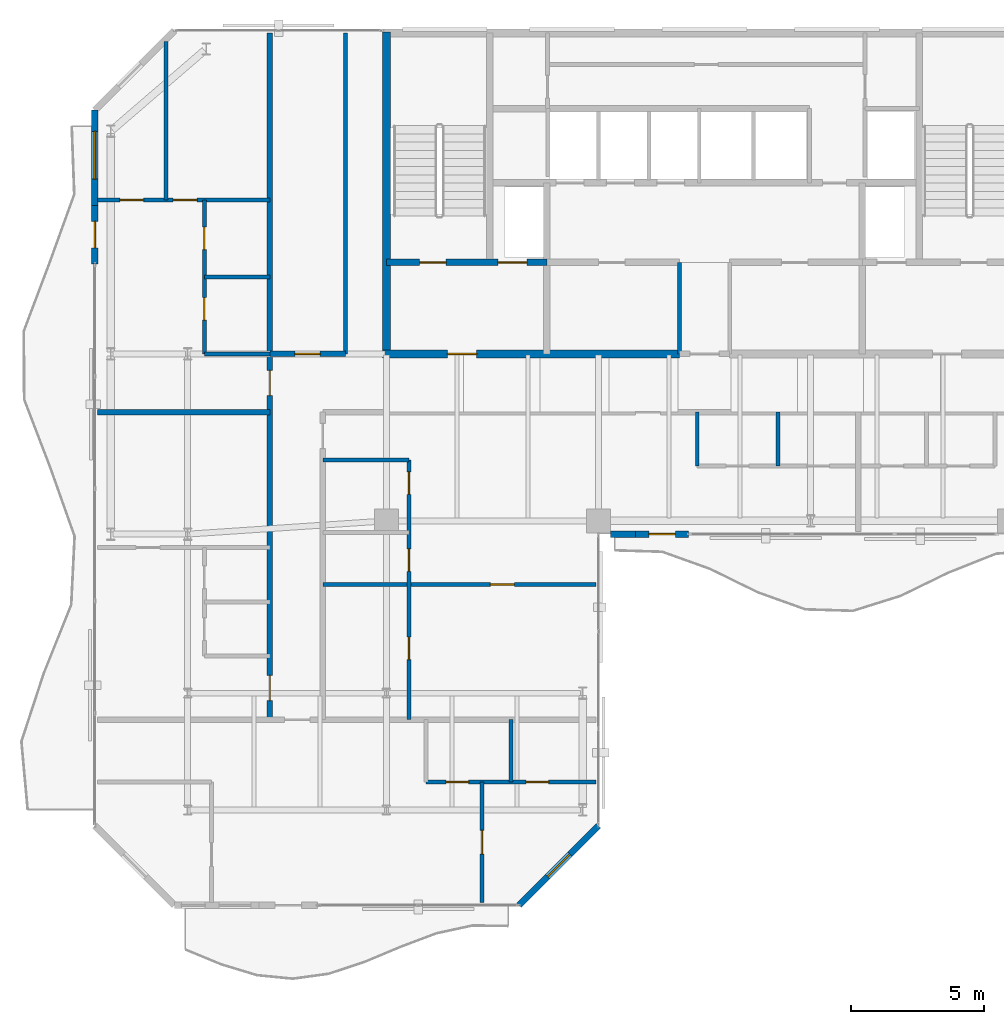
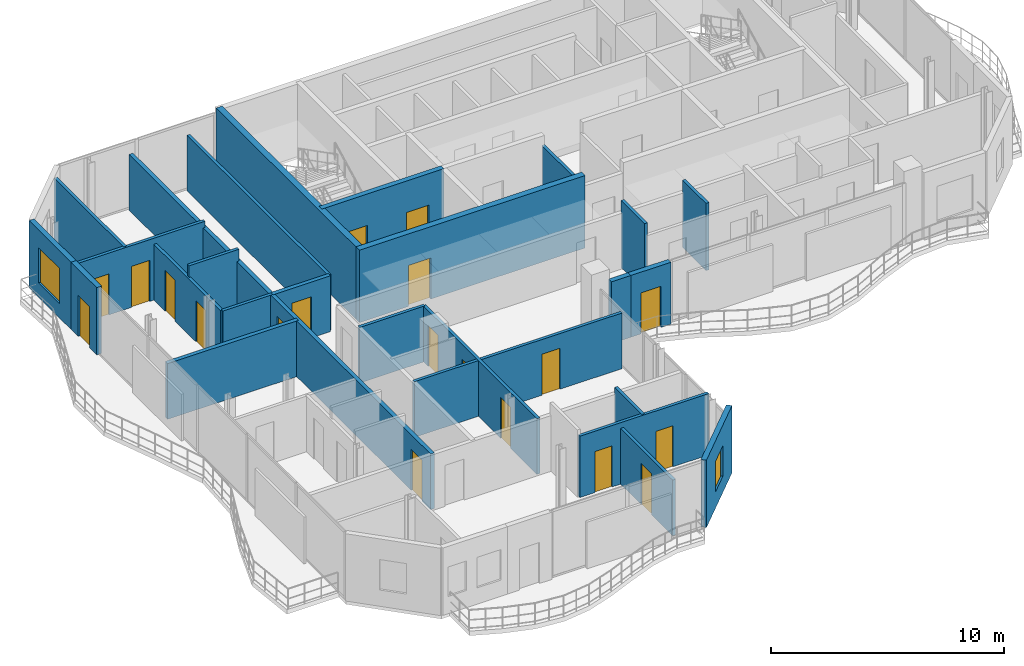
# One storey, part 18 of 22: 26 walls, 19 doors, 2 windows, 21 openings.
"""IFC4 building model written with IfcOpenShell, lengths in metres."""

import ifcopenshell
import ifcopenshell.guid

model = None  # the IFC model being written
_history = None  # IfcOwnerHistory: only IFC2X3 demands one
_inside = {}  # id of a spatial element -> (the spatial element, [elements in it])
_under = {}  # id of a project, library or spatial element -> (it, [spatial elements below it])
_declared = {}  # id of a project -> (the project, [libraries it declares])
_typed = {}  # id of a type object -> (the type object, [elements of that type])
_made_of = {}  # id of a material, layer set ... -> (it, [elements and type objects made of it])


def new_model(schema):
    """Start an empty IFC model of exactly this schema.

    Asked for "IFC4X3", IfcOpenShell would pick the latest addendum, in which some entities
    have other attributes; the version numbers below select the first issue.
    IFC2X3 requires an IfcOwnerHistory on every rooted entity: one is made here for all.
    """
    global model, _history
    if schema == "IFC4X3":
        model = ifcopenshell.file(schema_version=(4, 3, 0, 0))
    else:
        model = ifcopenshell.file(schema=schema)
    _inside.clear()
    _under.clear()
    _declared.clear()
    _typed.clear()
    _made_of.clear()
    _history = None
    if model.schema == "IFC2X3":
        org = make("IfcOrganization", Name="unknown")
        user = make(
            "IfcPersonAndOrganization",
            ThePerson=make("IfcPerson", FamilyName="unknown"),
            TheOrganization=org,
        )
        app = make(
            "IfcApplication",
            ApplicationDeveloper=org,
            Version="unknown",
            ApplicationFullName="unknown",
            ApplicationIdentifier="unknown",
        )
        _history = make(
            "IfcOwnerHistory",
            OwningUser=user,
            OwningApplication=app,
            ChangeAction="ADDED",
            CreationDate=0,
        )
    return model


def make(cls, **values):
    """One entity of the class cls with the attributes given. An attribute that is None is left unset."""
    return model.create_entity(
        cls, **{name: value for name, value in values.items() if value is not None}
    )


def rooted(cls, **values):
    """An entity with a GlobalId (a new one), such as an element, a storey or a relation."""
    return make(cls, GlobalId=ifcopenshell.guid.new(), OwnerHistory=_history, **values)


def si_unit(unit_type, name, prefix=None):
    """IfcSIUnit, for example si_unit("LENGTHUNIT", "METRE", prefix="MILLI")."""
    return make("IfcSIUnit", UnitType=unit_type, Prefix=prefix, Name=name)


def assignment(units):
    """IfcUnitAssignment: the units of a project."""
    return None if units is None else make("IfcUnitAssignment", Units=units)


def point(xyz):
    """IfcCartesianPoint."""
    return None if xyz is None else make("IfcCartesianPoint", Coordinates=xyz)


def direction(xyz):
    """IfcDirection."""
    return None if xyz is None else make("IfcDirection", DirectionRatios=xyz)


def frame(location, z_axis=None, x_axis=None):
    """IfcAxis2Placement3D, a coordinate frame: its origin and axes. An axis left out is left unset."""
    return make(
        "IfcAxis2Placement3D",
        Location=point(location),
        Axis=direction(z_axis),
        RefDirection=direction(x_axis),
    )


def frame_2d(location, x_axis=None):
    """IfcAxis2Placement2D, a coordinate frame in the plane: its origin and x axis."""
    return make(
        "IfcAxis2Placement2D", Location=point(location), RefDirection=direction(x_axis)
    )


def origin():
    """The frame at (0, 0, 0) with its axes left unset."""
    return frame((0.0, 0.0, 0.0))


def place(relative_to, where):
    """IfcLocalPlacement: puts the frame where relative to a parent placement (None: the world)."""
    return make(
        "IfcLocalPlacement", PlacementRelTo=relative_to, RelativePlacement=where
    )


def context(
    kind, dimensions, precision=None, world=None, true_north=None, identifier=None
):
    """IfcGeometricRepresentationContext, for example the 3D "Model" context."""
    return make(
        "IfcGeometricRepresentationContext",
        ContextIdentifier=identifier,
        ContextType=kind,
        CoordinateSpaceDimension=dimensions,
        Precision=precision,
        WorldCoordinateSystem=world,
        TrueNorth=true_north,
    )


def subcontext(parent, identifier, kind, view, scale=None):
    """IfcGeometricRepresentationSubContext, for example "Body" below "Model"."""
    return make(
        "IfcGeometricRepresentationSubContext",
        ContextIdentifier=identifier,
        ContextType=kind,
        ParentContext=parent,
        TargetScale=scale,
        TargetView=view,
    )


def project(units=None, contexts=None):
    """IfcProject with its units and contexts."""
    return rooted(
        "IfcProject",
        Name="project",
        RepresentationContexts=contexts,
        UnitsInContext=assignment(units),
    )


def spatial(cls, under=None, at=None, **own):
    """A site, building, storey or space (cls), placed at a placement, below another one or the project."""
    s = rooted(cls, ObjectPlacement=at, **own)
    if under is not None:
        _under.setdefault(under.id(), (under, []))[1].append(s)
    return s


def profile(cls, at=None, kind="AREA", **sizes):
    """A parametric profile (cls). Its sizes go by their IFC names, for example OverallWidth=200.0."""
    return make(cls, ProfileType=kind, Position=at, **sizes)


def rectangle(**sizes):
    """IfcRectangleProfileDef."""
    return profile("IfcRectangleProfileDef", **sizes)


def extrude(swept, where, along, depth):
    """IfcExtrudedAreaSolid: the profile swept, set in the frame where, extruded along a direction by depth."""
    return make(
        "IfcExtrudedAreaSolid",
        SweptArea=swept,
        Position=where,
        ExtrudedDirection=direction(along),
        Depth=depth,
    )


def shape(context_of_items, identifier, shape_type, items):
    """IfcShapeRepresentation: the items that make up one representation, for example the "Body"."""
    return make(
        "IfcShapeRepresentation",
        ContextOfItems=context_of_items,
        RepresentationIdentifier=identifier,
        RepresentationType=shape_type,
        Items=items,
    )


def material(Name=None, Category=None):
    """IfcMaterial."""
    return make("IfcMaterial", Name=Name, Category=Category)


def layer(
    of_material, thickness, ventilated=None, Name=None, Category=None, Priority=None
):
    """IfcMaterialLayer: one layer of a wall or slab, of a material (None: an air gap)."""
    return make(
        "IfcMaterialLayer",
        Material=of_material,
        LayerThickness=thickness,
        IsVentilated=ventilated,
        Name=Name,
        Category=Category,
        Priority=Priority,
    )


def layer_set(layers, Name=None):
    """IfcMaterialLayerSet."""
    return make("IfcMaterialLayerSet", MaterialLayers=layers, LayerSetName=Name)


def made_of(thing, what):
    """Note that an element or type object is made of a material, layer set ...; save() writes the relation."""
    if what is not None:
        _made_of.setdefault(what.id(), (what, []))[1].append(thing)
    return thing


def type_object(cls, material=None, **own):
    """A type object (cls), such as IfcWallType, which elements share."""
    return made_of(rooted(cls, **own), material)


def element(
    cls,
    number,
    at=None,
    inside=None,
    cuts=None,
    type_object=None,
    material=None,
    context=None,
    identifier="Body",
    shape_type=None,
    held_by="IfcProductDefinitionShape",
    body=None,
    shapes=None,
    **own,
):
    """One element of the class cls, such as IfcWall. Its Tag is "e" and its number.

    at: its placement. inside: the storey or other place that contains it. cuts: it is an
    opening in that element (IfcRelVoidsElement). A single representation is given by context,
    identifier, shape_type and body (its items); several are given by shapes. held_by: the class
    of the entity that holds the representations. save() writes the other relations.
    """
    e = rooted(cls, Tag="e%d" % number, ObjectPlacement=at, **own)
    if body is not None:
        shapes = [shape(context, identifier, shape_type, body)]
    if shapes is not None:
        e.Representation = make(held_by, Representations=shapes)
    if inside is not None:
        _inside.setdefault(inside.id(), (inside, []))[1].append(e)
    if cuts is not None:
        rooted(
            "IfcRelVoidsElement", RelatingBuildingElement=cuts, RelatedOpeningElement=e
        )
    if type_object is not None:
        _typed.setdefault(type_object.id(), (type_object, []))[1].append(e)
    return made_of(e, material)


def fill(opening, filler):
    """IfcRelFillsElement: the door or window that sits in an opening."""
    return rooted(
        "IfcRelFillsElement",
        RelatingOpeningElement=opening,
        RelatedBuildingElement=filler,
    )


def aggregate(whole, parts):
    """IfcRelAggregates: a whole, such as a stair, and the parts it consists of."""
    return rooted("IfcRelAggregates", RelatingObject=whole, RelatedObjects=parts)


def save(model, path):
    """Write the relations noted so far, then the file.

    IfcRelAggregates (storeys below a building ...), IfcRelContainedInSpatialStructure (elements
    in a storey), IfcRelDefinesByType, IfcRelAssociatesMaterial and IfcRelDeclares: one each for
    every whole, place, type object, material and project.
    """
    for whole, parts in _under.values():
        aggregate(whole, parts)
    for where, things in _inside.values():
        rooted(
            "IfcRelContainedInSpatialStructure",
            RelatedElements=things,
            RelatingStructure=where,
        )
    for kind, things in _typed.values():
        rooted("IfcRelDefinesByType", RelatedObjects=things, RelatingType=kind)
    for what, things in _made_of.values():
        rooted("IfcRelAssociatesMaterial", RelatedObjects=things, RelatingMaterial=what)
    for by, libraries in _declared.values():
        rooted("IfcRelDeclares", RelatingContext=by, RelatedDefinitions=libraries)
    model.write(path)


model = new_model("IFC4")

# Units and contexts
model_context = context("Model", 3, precision=1e-05, world=origin(), true_north=direction((0.0, 1.0)))
body_context = subcontext(model_context, "Body", "Model", "MODEL_VIEW")
ifc_project = project(units=[si_unit("LENGTHUNIT", "METRE"), si_unit("AREAUNIT", "SQUARE_METRE"), si_unit("VOLUMEUNIT", "CUBIC_METRE"), si_unit("PLANEANGLEUNIT", "RADIAN"), si_unit("MASSUNIT", "GRAM", prefix="KILO")], contexts=[model_context])

# Site, building, storey
site_placement = place(None, origin())
site = spatial("IfcSite", under=ifc_project, at=site_placement, CompositionType="ELEMENT")
building_placement = place(site_placement, origin())
building = spatial("IfcBuilding", under=site, at=building_placement, Name="Catumbela Crestline Tower", CompositionType="ELEMENT")
storey_placement = place(building_placement, frame((0.0, 0.0, 226.0)))
storey = spatial("IfcBuildingStorey", under=building, at=storey_placement, Name="L58", CompositionType="ELEMENT", Elevation=226.0)

# Wall, openings, doors
ifc_material_1 = material(Name="Concrete C50/60", Category="concrete")
ifc_layer_1 = layer(ifc_material_1, 0.25, Name="Concrete C50/60")
ifc_layer_set_1 = layer_set([ifc_layer_1], Name="Concrete C50/60")
wall_type_1 = type_object("IfcWallType", Name="CW-250D", PredefinedType="SHEAR", material=ifc_layer_set_1)
wall_1_placement = place(storey_placement, frame((16.0, 34.25, 0.0), z_axis=(0.0, 0.0, 1.0), x_axis=(1.0, 0.0, 0.0)))
wall_1 = element("IfcWall", 1, at=wall_1_placement, inside=storey, type_object=wall_type_1, Name="L58 Structural Core Shear Wall ST1S", PredefinedType="SHEAR", context=body_context, shape_type="SweptSolid", body=[
    extrude(rectangle(XDim=6.05, YDim=0.25, at=frame_2d((3.025, 0.0))), origin(), (0.0, 0.0, 1.0), 3.8),
])
opening_1_placement = place(wall_1_placement, frame((1.25, 0.0, 0.0)))
opening_1 = element("IfcOpeningElement", 2, at=opening_1_placement, cuts=wall_1, Name="Opening DF9-100", PredefinedType="OPENING", context=body_context, shape_type="SweptSolid", body=[
    extrude(rectangle(XDim=1.0, YDim=2.15, at=frame_2d((0.5, 1.075))), frame((0.0, 0.135, 0.0), z_axis=(0.0, -1.0, 0.0), x_axis=(1.0, 0.0, 0.0)), (0.0, 0.0, 1.0), 0.27),
])
opening_2_placement = place(wall_1_placement, frame((4.2, 0.0, 0.0)))
opening_2 = element("IfcOpeningElement", 3, at=opening_2_placement, cuts=wall_1, Name="Opening LD-110", PredefinedType="OPENING", context=body_context, shape_type="SweptSolid", body=[
    extrude(rectangle(XDim=1.1, YDim=2.15, at=frame_2d((0.55, 1.075))), frame((0.0, 0.135, 0.0), z_axis=(0.0, -1.0, 0.0), x_axis=(1.0, 0.0, 0.0)), (0.0, 0.0, 1.0), 0.27),
])
ifc_material_2 = material(Name="Stainless steel EN 1.4401", Category="steel")
door_type_1 = type_object("IfcDoorType", Name="DF9-100", OperationType="NOTDEFINED", PredefinedType="DOOR", material=ifc_material_2)
door_1_placement = place(opening_1_placement, origin())
door_1 = element("IfcDoor", 4, at=door_1_placement, inside=storey, type_object=door_type_1, Name="L58 Interior Door DR-L58-ST01", OperationType="SINGLE_SWING_LEFT", OverallHeight=2.15, OverallWidth=1.0, PredefinedType="DOOR", context=body_context, shape_type="SweptSolid", body=[
    extrude(rectangle(XDim=1.0, YDim=2.15, at=frame_2d((0.5, 1.075))), frame((0.0, 0.025, 0.0), z_axis=(0.0, -1.0, 0.0), x_axis=(1.0, 0.0, 0.0)), (0.0, 0.0, 1.0), 0.05),
])
fill(opening_1, door_1)
door_type_2 = type_object("IfcDoorType", Name="LD-110", OperationType="NOTDEFINED", PredefinedType="DOOR", material=ifc_material_2)
door_2_placement = place(opening_2_placement, origin())
door_2 = element("IfcDoor", 5, at=door_2_placement, inside=storey, type_object=door_type_2, Name="L58 Lift Landing Sliding Door FL-01", OperationType="DOUBLE_DOOR_SLIDING", OverallHeight=2.15, OverallWidth=1.1, PredefinedType="DOOR", context=body_context, shape_type="SweptSolid", body=[
    extrude(rectangle(XDim=1.1, YDim=2.15, at=frame_2d((0.55, 1.075))), frame((0.0, 0.025, 0.0), z_axis=(0.0, -1.0, 0.0), x_axis=(1.0, 0.0, 0.0)), (0.0, 0.0, 1.0), 0.05),
])
fill(opening_2, door_2)

# Wall
ifc_material_3 = material(Name="Concrete C45/55", Category="concrete")
ifc_layer_2 = layer(ifc_material_3, 0.3, Name="Concrete C45/55")
ifc_layer_set_2 = layer_set([ifc_layer_2], Name="Concrete C45/55")
wall_type_2 = type_object("IfcWallType", Name="CW-300C", PredefinedType="SHEAR", material=ifc_layer_set_2)
wall_2_placement = place(storey_placement, frame((16.0, 30.65, 0.0), z_axis=(0.0, 0.0, 1.0), x_axis=(0.0, 1.0, 0.0)))
element("IfcWall", 6, at=wall_2_placement, inside=storey, type_object=wall_type_2, Name="L58 Structural Core Shear Wall W", PredefinedType="SHEAR", context=body_context, shape_type="SweptSolid", body=[
    extrude(rectangle(XDim=12.3, YDim=0.3, at=frame_2d((6.15, 0.0))), origin(), (0.0, 0.0, 1.0), 3.8),
])

# Wall, opening, door
wall_3_placement = place(storey_placement, frame((15.85, 30.8, 0.0), z_axis=(0.0, 0.0, 1.0), x_axis=(1.0, 0.0, 0.0)))
wall_3 = element("IfcWall", 7, at=wall_3_placement, inside=storey, type_object=wall_type_2, Name="L58 Structural Core Shear Wall SW", PredefinedType="SHEAR", context=body_context, shape_type="SweptSolid", body=[
    extrude(rectangle(XDim=11.2, YDim=0.3, at=frame_2d((5.6, 0.0))), origin(), (0.0, 0.0, 1.0), 3.8),
])
opening_3_placement = place(wall_3_placement, frame((2.45, 0.0, 0.0)))
opening_3 = element("IfcOpeningElement", 8, at=opening_3_placement, cuts=wall_3, Name="Opening DF9-110", PredefinedType="OPENING", context=body_context, shape_type="SweptSolid", body=[
    extrude(rectangle(XDim=1.1, YDim=2.15, at=frame_2d((0.55, 1.075))), frame((0.0, 0.16, 0.0), z_axis=(0.0, -1.0, 0.0), x_axis=(1.0, 0.0, 0.0)), (0.0, 0.0, 1.0), 0.32),
])
door_type_3 = type_object("IfcDoorType", Name="DF9-110", OperationType="NOTDEFINED", PredefinedType="DOOR", material=ifc_material_2)
door_3_placement = place(opening_3_placement, origin())
door_3 = element("IfcDoor", 9, at=door_3_placement, inside=storey, type_object=door_type_3, Name="L58 Interior Door DR-L58-FFW-S", OperationType="SINGLE_SWING_LEFT", OverallHeight=2.15, OverallWidth=1.1, PredefinedType="DOOR", context=body_context, shape_type="SweptSolid", body=[
    extrude(rectangle(XDim=1.1, YDim=2.15, at=frame_2d((0.55, 1.075))), frame((0.0, 0.025, 0.0), z_axis=(0.0, -1.0, 0.0), x_axis=(1.0, 0.0, 0.0)), (0.0, 0.0, 1.0), 0.05),
])
fill(opening_3, door_3)

# Wall, openings, doors
ifc_material_4 = material(Name="Acoustic gypsum and mineral-wool partition")
ifc_layer_3 = layer(ifc_material_4, 0.2, Name="Acoustic gypsum and mineral-wool partition")
ifc_layer_set_3 = layer_set([ifc_layer_3], Name="Acoustic gypsum and mineral-wool partition")
wall_type_3 = type_object("IfcWallType", Name="WC-200", PredefinedType="PARTITIONING", material=ifc_layer_set_3)
wall_4_placement = place(storey_placement, frame((11.6, 17.0, 0.0), z_axis=(0.0, 0.0, 1.0), x_axis=(0.0, 1.0, 0.0)))
wall_4 = element("IfcWall", 10, at=wall_4_placement, inside=storey, type_object=wall_type_3, Name="L58 Interior Partition PW-L58-NW1-ENT", PredefinedType="PARTITIONING", context=body_context, shape_type="SweptSolid", body=[
    extrude(rectangle(XDim=25.9, YDim=0.2, at=frame_2d((12.95, 0.0))), origin(), (0.0, 0.0, 1.0), 2.92),
])
opening_4_placement = place(wall_4_placement, frame((12.225, 0.0, 0.0)))
opening_4 = element("IfcOpeningElement", 11, at=opening_4_placement, cuts=wall_4, Name="Opening DF6-095", PredefinedType="OPENING", context=body_context, shape_type="SweptSolid", body=[
    extrude(rectangle(XDim=0.95, YDim=2.15, at=frame_2d((0.475, 1.075))), frame((0.0, 0.11, 0.0), z_axis=(0.0, -1.0, 0.0), x_axis=(1.0, 0.0, 0.0)), (0.0, 0.0, 1.0), 0.22),
])
opening_5_placement = place(wall_4_placement, frame((0.723, 0.0, 0.0)))
opening_5 = element("IfcOpeningElement", 12, at=opening_5_placement, cuts=wall_4, Name="Opening DF6-095", PredefinedType="OPENING", context=body_context, shape_type="SweptSolid", body=[
    extrude(rectangle(XDim=0.95, YDim=2.15, at=frame_2d((0.475, 1.075))), frame((0.0, 0.11, 0.0), z_axis=(0.0, -1.0, 0.0), x_axis=(1.0, 0.0, 0.0)), (0.0, 0.0, 1.0), 0.22),
])
ifc_material_5 = material(Name="Aluminium alloy AW-6060-T66", Category="aluminium")
door_type_4 = type_object("IfcDoorType", Name="DF6-095", OperationType="NOTDEFINED", PredefinedType="DOOR", material=ifc_material_5)
door_4_placement = place(opening_4_placement, origin())
door_4 = element("IfcDoor", 13, at=door_4_placement, inside=storey, type_object=door_type_4, Name="L58 Interior Door DR-L58-NW1-ENT", OperationType="SINGLE_SWING_LEFT", OverallHeight=2.15, OverallWidth=0.95, PredefinedType="DOOR", context=body_context, shape_type="SweptSolid", body=[
    extrude(rectangle(XDim=0.95, YDim=2.15, at=frame_2d((0.475, 1.075))), frame((0.0, 0.025, 0.0), z_axis=(0.0, -1.0, 0.0), x_axis=(1.0, 0.0, 0.0)), (0.0, 0.0, 1.0), 0.05),
])
fill(opening_4, door_4)
door_5_placement = place(opening_5_placement, origin())
door_5 = element("IfcDoor", 14, at=door_5_placement, inside=storey, type_object=door_type_4, Name="L58 Interior Door DR-L58-WL1-ENT", OperationType="SINGLE_SWING_LEFT", OverallHeight=2.15, OverallWidth=0.95, PredefinedType="DOOR", context=body_context, shape_type="SweptSolid", body=[
    extrude(rectangle(XDim=0.95, YDim=2.15, at=frame_2d((0.475, 1.075))), frame((0.0, 0.025, 0.0), z_axis=(0.0, -1.0, 0.0), x_axis=(1.0, 0.0, 0.0)), (0.0, 0.0, 1.0), 0.05),
])
fill(opening_5, door_5)

# Wall, opening, door
wall_5_placement = place(storey_placement, frame((11.6, 30.8, 0.0), z_axis=(0.0, 0.0, 1.0), x_axis=(1.0, 0.0, 0.0)))
wall_5 = element("IfcWall", 15, at=wall_5_placement, inside=storey, type_object=wall_type_3, Name="L58 Interior Partition PW-L58-NWST-ENT", PredefinedType="PARTITIONING", context=body_context, shape_type="SweptSolid", body=[
    extrude(rectangle(XDim=2.85, YDim=0.2, at=frame_2d((1.425, 0.0))), origin(), (0.0, 0.0, 1.0), 2.92),
])
opening_6_placement = place(wall_5_placement, frame((0.95, 0.0, 0.0)))
opening_6 = element("IfcOpeningElement", 16, at=opening_6_placement, cuts=wall_5, Name="Opening DF6-095", PredefinedType="OPENING", context=body_context, shape_type="SweptSolid", body=[
    extrude(rectangle(XDim=0.95, YDim=2.15, at=frame_2d((0.475, 1.075))), frame((0.0, 0.11, 0.0), z_axis=(0.0, -1.0, 0.0), x_axis=(1.0, 0.0, 0.0)), (0.0, 0.0, 1.0), 0.22),
])
door_6_placement = place(opening_6_placement, origin())
door_6 = element("IfcDoor", 17, at=door_6_placement, inside=storey, type_object=door_type_4, Name="L58 Interior Door DR-L58-NWST-ENT", OperationType="SINGLE_SWING_LEFT", OverallHeight=2.15, OverallWidth=0.95, PredefinedType="DOOR", context=body_context, shape_type="SweptSolid", body=[
    extrude(rectangle(XDim=0.95, YDim=2.15, at=frame_2d((0.475, 1.075))), frame((0.0, 0.025, 0.0), z_axis=(0.0, -1.0, 0.0), x_axis=(1.0, 0.0, 0.0)), (0.0, 0.0, 1.0), 0.05),
])
fill(opening_6, door_6)

# Wall, opening, window
ifc_material_6 = material(Name="Angolan grey-ochre granite", Category="masonry")
ifc_layer_4 = layer(ifc_material_6, 0.25, Name="Angolan grey-ochre granite")
ifc_layer_set_4 = layer_set([ifc_layer_4], Name="Angolan grey-ochre granite")
wall_type_4 = type_object("IfcWallType", Name="WE-250", PredefinedType="STANDARD", material=ifc_layer_set_4)
wall_6_placement = place(storey_placement, frame((21.0, 10.0, 0.0), z_axis=(0.0, 0.0, 1.0), x_axis=(0.707106781187, 0.707106781187, 0.0)))
wall_6 = element("IfcWall", 18, at=wall_6_placement, inside=storey, type_object=wall_type_4, Name="L58 Granite Punched Window Wall 1-1", PredefinedType="STANDARD", context=body_context, shape_type="SweptSolid", body=[
    extrude(rectangle(XDim=4.2426, YDim=0.25, at=frame_2d((2.1213, 0.0))), origin(), (0.0, 0.0, 1.0), 3.53),
])
opening_7_placement = place(wall_6_placement, frame((1.5213, 0.0, 0.85)))
opening_7 = element("IfcOpeningElement", 19, at=opening_7_placement, cuts=wall_6, Name="Opening WN-02", PredefinedType="OPENING", context=body_context, shape_type="SweptSolid", body=[
    extrude(rectangle(XDim=1.2, YDim=1.6, at=frame_2d((0.6, 0.8))), frame((0.0, 0.135, 0.0), z_axis=(0.0, -1.0, 0.0), x_axis=(1.0, 0.0, 0.0)), (0.0, 0.0, 1.0), 0.27),
])
ifc_material_7 = material(Name="Low-E laminated solar-control double glazing", Category="glass")
window_type_1 = type_object("IfcWindowType", Name="WO-1200", PartitioningType="SINGLE_PANEL", PredefinedType="WINDOW", material=ifc_material_7)
window_1_placement = place(opening_7_placement, origin())
window_1 = element("IfcWindow", 20, at=window_1_placement, inside=storey, type_object=window_type_1, Name="L58 Facade Vision Window 406", OverallHeight=1.6, OverallWidth=1.2, PartitioningType="SINGLE_PANEL", PredefinedType="WINDOW", context=body_context, shape_type="SweptSolid", body=[
    extrude(rectangle(XDim=1.2, YDim=1.6, at=frame_2d((0.6, 0.8))), frame((0.0, 0.03, 0.0), z_axis=(0.0, -1.0, 0.0), x_axis=(1.0, 0.0, 0.0)), (0.0, 0.0, 1.0), 0.06),
])
fill(opening_7, window_1)

# Wall, opening, door
wall_7_placement = place(storey_placement, frame((25.4, 24.0, 0.0), z_axis=(0.0, 0.0, 1.0), x_axis=(1.0, 0.0, 0.0)))
wall_7 = element("IfcWall", 21, at=wall_7_placement, inside=storey, type_object=wall_type_4, Name="L58 Exterior Threshold Portal Wall DR-L58-WBAL-1", PredefinedType="STANDARD", context=body_context, shape_type="SweptSolid", body=[
    extrude(rectangle(XDim=2.0, YDim=0.25, at=frame_2d((1.0, 0.0))), origin(), (0.0, 0.0, 1.0), 3.24),
])
opening_8_placement = place(wall_7_placement, frame((0.5, 0.0, 0.0)))
opening_8 = element("IfcOpeningElement", 22, at=opening_8_placement, cuts=wall_7, Name="Opening DB-L58-1", PredefinedType="OPENING", context=body_context, shape_type="SweptSolid", body=[
    extrude(rectangle(XDim=1.0, YDim=2.15, at=frame_2d((0.5, 1.075))), frame((0.0, 0.135, 0.0), z_axis=(0.0, -1.0, 0.0), x_axis=(1.0, 0.0, 0.0)), (0.0, 0.0, 1.0), 0.27),
])
door_type_5 = type_object("IfcDoorType", Name="DB-1000", OperationType="NOTDEFINED", PredefinedType="DOOR", material=ifc_material_5)
door_7_placement = place(opening_8_placement, origin())
door_7 = element("IfcDoor", 23, at=door_7_placement, inside=storey, type_object=door_type_5, Name="L58 Wave Balcony Terrace Door 1", OperationType="SINGLE_SWING_RIGHT", OverallHeight=2.15, OverallWidth=1.0, PredefinedType="DOOR", context=body_context, shape_type="SweptSolid", body=[
    extrude(rectangle(XDim=1.0, YDim=2.15, at=frame_2d((0.5, 1.075))), frame((0.0, 0.025, 0.0), z_axis=(0.0, -1.0, 0.0), x_axis=(1.0, 0.0, 0.0)), (0.0, 0.0, 1.0), 0.05),
])
fill(opening_8, door_7)

# Wall
wall_8_placement = place(storey_placement, frame((24.45, 24.0, 0.0), z_axis=(0.0, 0.0, 1.0), x_axis=(1.0, 0.0, 0.0)))
element("IfcWall", 24, at=wall_8_placement, inside=storey, type_object=wall_type_4, Name="L58 Granite Punched Window Wall 3-1", PredefinedType="STANDARD", context=body_context, shape_type="SweptSolid", body=[
    extrude(rectangle(XDim=0.95, YDim=0.25, at=frame_2d((0.475, 0.0))), origin(), (0.0, 0.0, 1.0), 3.24),
])

# Wall, opening, door
wall_9_placement = place(storey_placement, frame((5.0, 36.4, 0.0), z_axis=(0.0, 0.0, 1.0), x_axis=(0.0, -1.0, 0.0)))
wall_9 = element("IfcWall", 25, at=wall_9_placement, inside=storey, type_object=wall_type_4, Name="L58 Exterior Threshold Portal Wall DR-L58-WBAL-4", PredefinedType="STANDARD", context=body_context, shape_type="SweptSolid", body=[
    extrude(rectangle(XDim=2.2, YDim=0.25, at=frame_2d((1.1, 0.0))), origin(), (0.0, 0.0, 1.0), 3.53),
])
opening_9_placement = place(wall_9_placement, frame((0.6, 0.0, 0.0)))
opening_9 = element("IfcOpeningElement", 26, at=opening_9_placement, cuts=wall_9, Name="Opening DB-L58-4", PredefinedType="OPENING", context=body_context, shape_type="SweptSolid", body=[
    extrude(rectangle(XDim=1.0, YDim=2.15, at=frame_2d((0.5, 1.075))), frame((0.0, 0.135, 0.0), z_axis=(0.0, -1.0, 0.0), x_axis=(1.0, 0.0, 0.0)), (0.0, 0.0, 1.0), 0.27),
])
door_8_placement = place(opening_9_placement, origin())
door_8 = element("IfcDoor", 27, at=door_8_placement, inside=storey, type_object=door_type_5, Name="L58 Wave Balcony Terrace Door 4", OperationType="SINGLE_SWING_LEFT", OverallHeight=2.15, OverallWidth=1.0, PredefinedType="DOOR", context=body_context, shape_type="SweptSolid", body=[
    extrude(rectangle(XDim=1.0, YDim=2.15, at=frame_2d((0.5, 1.075))), frame((0.0, 0.025, 0.0), z_axis=(0.0, -1.0, 0.0), x_axis=(1.0, 0.0, 0.0)), (0.0, 0.0, 1.0), 0.05),
])
fill(opening_9, door_8)

# Wall, opening, window
wall_10_placement = place(storey_placement, frame((5.0, 40.0, 0.0), z_axis=(0.0, 0.0, 1.0), x_axis=(0.0, -1.0, 0.0)))
wall_10 = element("IfcWall", 28, at=wall_10_placement, inside=storey, type_object=wall_type_4, Name="L58 Granite Punched Window Wall 9-1", PredefinedType="STANDARD", context=body_context, shape_type="SweptSolid", body=[
    extrude(rectangle(XDim=3.6, YDim=0.25, at=frame_2d((1.8, 0.0))), origin(), (0.0, 0.0, 1.0), 3.53),
])
opening_10_placement = place(wall_10_placement, frame((0.806, 0.0, 0.75)))
opening_10 = element("IfcOpeningElement", 29, at=opening_10_placement, cuts=wall_10, Name="Opening WN-01", PredefinedType="OPENING", context=body_context, shape_type="SweptSolid", body=[
    extrude(rectangle(XDim=1.8, YDim=1.85, at=frame_2d((0.9, 0.925))), frame((0.0, 0.135, 0.0), z_axis=(0.0, -1.0, 0.0), x_axis=(1.0, 0.0, 0.0)), (0.0, 0.0, 1.0), 0.27),
])
window_type_2 = type_object("IfcWindowType", Name="WF-1800", PartitioningType="SINGLE_PANEL", PredefinedType="WINDOW", material=ifc_material_7)
window_2_placement = place(opening_10_placement, origin())
window_2 = element("IfcWindow", 30, at=window_2_placement, inside=storey, type_object=window_type_2, Name="L58 Facade Vision Window 413", OverallHeight=1.85, OverallWidth=1.8, PartitioningType="SINGLE_PANEL", PredefinedType="WINDOW", context=body_context, shape_type="SweptSolid", body=[
    extrude(rectangle(XDim=1.8, YDim=1.85, at=frame_2d((0.9, 0.925))), frame((0.0, 0.03, 0.0), z_axis=(0.0, -1.0, 0.0), x_axis=(1.0, 0.0, 0.0)), (0.0, 0.0, 1.0), 0.06),
])
fill(opening_10, window_2)

# Walls
ifc_layer_5 = layer(ifc_material_4, 0.15, Name="Acoustic gypsum and mineral-wool partition")
ifc_layer_set_5 = layer_set([ifc_layer_5], Name="Acoustic gypsum and mineral-wool partition")
wall_type_5 = type_object("IfcWallType", Name="WP-150", PredefinedType="PARTITIONING", material=ifc_layer_set_5)
wall_11_placement = place(storey_placement, frame((9.13, 30.8, 0.0), z_axis=(0.0, 0.0, 1.0), x_axis=(1.0, 0.0, 0.0)))
element("IfcWall", 31, at=wall_11_placement, inside=storey, type_object=wall_type_5, Name="L58 Interior Partition PW-L58-NW1-KBS", PredefinedType="PARTITIONING", context=body_context, shape_type="SweptSolid", body=[
    extrude(rectangle(XDim=2.47, YDim=0.15, at=frame_2d((1.235, 0.0))), origin(), (0.0, 0.0, 1.0), 2.92),
])
wall_12_placement = place(storey_placement, frame((9.13, 33.704, 0.0), z_axis=(0.0, 0.0, 1.0), x_axis=(1.0, 0.0, 0.0)))
element("IfcWall", 32, at=wall_12_placement, inside=storey, type_object=wall_type_5, Name="L58 Interior Partition PW-L58-NW1-KBM", PredefinedType="PARTITIONING", context=body_context, shape_type="SweptSolid", body=[
    extrude(rectangle(XDim=2.47, YDim=0.15, at=frame_2d((1.235, 0.0))), origin(), (0.0, 0.0, 1.0), 3.53),
])

# Wall, openings, doors
wall_13_placement = place(storey_placement, frame((5.1, 36.608, 0.0), z_axis=(0.0, 0.0, 1.0), x_axis=(1.0, 0.0, 0.0)))
wall_13 = element("IfcWall", 33, at=wall_13_placement, inside=storey, type_object=wall_type_5, Name="L58 Interior Partition PW-L58-NW1-KBN", PredefinedType="PARTITIONING", context=body_context, shape_type="SweptSolid", body=[
    extrude(rectangle(XDim=6.5, YDim=0.15, at=frame_2d((3.25, 0.0))), origin(), (0.0, 0.0, 1.0), 3.24),
])
opening_11_placement = place(wall_13_placement, frame((0.84, 0.0, 0.0)))
opening_11 = element("IfcOpeningElement", 34, at=opening_11_placement, cuts=wall_13, Name="Opening DI-090", PredefinedType="OPENING", context=body_context, shape_type="SweptSolid", body=[
    extrude(rectangle(XDim=0.9, YDim=2.15, at=frame_2d((0.45, 1.075))), frame((0.0, 0.085, 0.0), z_axis=(0.0, -1.0, 0.0), x_axis=(1.0, 0.0, 0.0)), (0.0, 0.0, 1.0), 0.17),
])
opening_12_placement = place(wall_13_placement, frame((2.855, 0.0, 0.0)))
opening_12 = element("IfcOpeningElement", 35, at=opening_12_placement, cuts=wall_13, Name="Opening DI-090", PredefinedType="OPENING", context=body_context, shape_type="SweptSolid", body=[
    extrude(rectangle(XDim=0.9, YDim=2.15, at=frame_2d((0.45, 1.075))), frame((0.0, 0.085, 0.0), z_axis=(0.0, -1.0, 0.0), x_axis=(1.0, 0.0, 0.0)), (0.0, 0.0, 1.0), 0.17),
])
door_type_6 = type_object("IfcDoorType", Name="DI-090", OperationType="NOTDEFINED", PredefinedType="DOOR", material=ifc_material_5)
door_9_placement = place(opening_11_placement, origin())
door_9 = element("IfcDoor", 36, at=door_9_placement, inside=storey, type_object=door_type_6, Name="L58 Interior Door DR-L58-NW1-BD1", OperationType="SINGLE_SWING_LEFT", OverallHeight=2.15, OverallWidth=0.9, PredefinedType="DOOR", context=body_context, shape_type="SweptSolid", body=[
    extrude(rectangle(XDim=0.9, YDim=2.15, at=frame_2d((0.45, 1.075))), frame((0.0, 0.025, 0.0), z_axis=(0.0, -1.0, 0.0), x_axis=(1.0, 0.0, 0.0)), (0.0, 0.0, 1.0), 0.05),
])
fill(opening_11, door_9)
door_10_placement = place(opening_12_placement, origin())
door_10 = element("IfcDoor", 37, at=door_10_placement, inside=storey, type_object=door_type_6, Name="L58 Interior Door DR-L58-NW1-BD2", OperationType="SINGLE_SWING_RIGHT", OverallHeight=2.15, OverallWidth=0.9, PredefinedType="DOOR", context=body_context, shape_type="SweptSolid", body=[
    extrude(rectangle(XDim=0.9, YDim=2.15, at=frame_2d((0.45, 1.075))), frame((0.0, 0.025, 0.0), z_axis=(0.0, -1.0, 0.0), x_axis=(1.0, 0.0, 0.0)), (0.0, 0.0, 1.0), 0.05),
])
fill(opening_12, door_10)

wall_14_placement = place(storey_placement, frame((9.13, 30.8, 0.0), z_axis=(0.0, 0.0, 1.0), x_axis=(0.0, 1.0, 0.0)))
wall_14 = element("IfcWall", 38, at=wall_14_placement, inside=storey, type_object=wall_type_5, Name="L58 Interior Partition PW-L58-NW1-LK", PredefinedType="PARTITIONING", context=body_context, shape_type="SweptSolid", body=[
    extrude(rectangle(XDim=5.808, YDim=0.15, at=frame_2d((2.904, 0.0))), origin(), (0.0, 0.0, 1.0), 2.92),
])
opening_13_placement = place(wall_14_placement, frame((1.2737, 0.0, 0.0)))
opening_13 = element("IfcOpeningElement", 39, at=opening_13_placement, cuts=wall_14, Name="Opening DI-085", PredefinedType="OPENING", context=body_context, shape_type="SweptSolid", body=[
    extrude(rectangle(XDim=0.85, YDim=2.15, at=frame_2d((0.425, 1.075))), frame((0.0, 0.085, 0.0), z_axis=(0.0, -1.0, 0.0), x_axis=(1.0, 0.0, 0.0)), (0.0, 0.0, 1.0), 0.17),
])
opening_14_placement = place(wall_14_placement, frame((3.931, 0.0, 0.0)))
opening_14 = element("IfcOpeningElement", 40, at=opening_14_placement, cuts=wall_14, Name="Opening DI-085", PredefinedType="OPENING", context=body_context, shape_type="SweptSolid", body=[
    extrude(rectangle(XDim=0.85, YDim=2.15, at=frame_2d((0.425, 1.075))), frame((0.0, 0.085, 0.0), z_axis=(0.0, -1.0, 0.0), x_axis=(1.0, 0.0, 0.0)), (0.0, 0.0, 1.0), 0.17),
])
door_type_7 = type_object("IfcDoorType", Name="DI-085", OperationType="NOTDEFINED", PredefinedType="DOOR", material=ifc_material_5)
door_11_placement = place(opening_13_placement, origin())
door_11 = element("IfcDoor", 41, at=door_11_placement, inside=storey, type_object=door_type_7, Name="L58 Interior Door DR-L58-NW1-KIT", OperationType="SINGLE_SWING_RIGHT", OverallHeight=2.15, OverallWidth=0.85, PredefinedType="DOOR", context=body_context, shape_type="SweptSolid", body=[
    extrude(rectangle(XDim=0.85, YDim=2.15, at=frame_2d((0.425, 1.075))), frame((0.0, 0.025, 0.0), z_axis=(0.0, -1.0, 0.0), x_axis=(1.0, 0.0, 0.0)), (0.0, 0.0, 1.0), 0.05),
])
fill(opening_13, door_11)
door_12_placement = place(opening_14_placement, origin())
door_12 = element("IfcDoor", 42, at=door_12_placement, inside=storey, type_object=door_type_7, Name="L58 Interior Door DR-L58-NW1-BTH", OperationType="SINGLE_SWING_RIGHT", OverallHeight=2.15, OverallWidth=0.85, PredefinedType="DOOR", context=body_context, shape_type="SweptSolid", body=[
    extrude(rectangle(XDim=0.85, YDim=2.15, at=frame_2d((0.425, 1.075))), frame((0.0, 0.025, 0.0), z_axis=(0.0, -1.0, 0.0), x_axis=(1.0, 0.0, 0.0)), (0.0, 0.0, 1.0), 0.05),
])
fill(opening_14, door_12)

# Walls
wall_15_placement = place(storey_placement, frame((7.68, 36.608, 0.0), z_axis=(0.0, 0.0, 1.0), x_axis=(0.0, 1.0, 0.0)))
element("IfcWall", 43, at=wall_15_placement, inside=storey, type_object=wall_type_5, Name="L58 Interior Partition PW-L58-NW1-BDP", PredefinedType="PARTITIONING", context=body_context, shape_type="SweptSolid", body=[
    extrude(rectangle(XDim=5.972, YDim=0.15, at=frame_2d((2.986, 0.0))), origin(), (0.0, 0.0, 1.0), 3.24),
])
wall_16_placement = place(storey_placement, frame((14.45, 30.8, 0.0), z_axis=(0.0, 0.0, 1.0), x_axis=(0.0, 1.0, 0.0)))
element("IfcWall", 44, at=wall_16_placement, inside=storey, type_object=wall_type_5, Name="L58 Interior Partition PW-L58-NWSTM", PredefinedType="PARTITIONING", context=body_context, shape_type="SweptSolid", body=[
    extrude(rectangle(XDim=12.1, YDim=0.15, at=frame_2d((6.05, 0.0))), origin(), (0.0, 0.0, 1.0), 2.92),
])
for number, where, z_axis, x_axis, name in (
    (45, (27.724, 26.576, 0.0), (0.0, 0.0, 1.0), (0.0, 1.0, 0.0), "L58 Interior Partition PW-L58-S1-KBW"),
    (46, (30.762, 26.576, 0.0), (0.0, 0.0, 1.0), (0.0, 1.0, 0.0), "L58 Interior Partition PW-L58-S1-KBM"),
):
    element("IfcWall", number, at=place(storey_placement, frame(where, z_axis=z_axis, x_axis=x_axis)), inside=storey, type_object=wall_type_5, Name=name, PredefinedType="PARTITIONING", context=body_context, shape_type="SweptSolid", body=[
        extrude(rectangle(XDim=2.024, YDim=0.15, at=frame_2d((1.012, 0.0))), origin(), (0.0, 0.0, 1.0), 3.53),
    ])

# Wall, opening, door
wall_17_placement = place(storey_placement, frame((13.6, 22.104, 0.0), z_axis=(0.0, 0.0, 1.0), x_axis=(1.0, 0.0, 0.0)))
wall_17 = element("IfcWall", 47, at=wall_17_placement, inside=storey, type_object=wall_type_5, Name="L58 Interior Partition PW-L58-WR1-KBS", PredefinedType="PARTITIONING", context=body_context, shape_type="SweptSolid", body=[
    extrude(rectangle(XDim=10.3, YDim=0.15, at=frame_2d((5.15, 0.0))), origin(), (0.0, 0.0, 1.0), 2.92),
])
opening_15_placement = place(wall_17_placement, frame((6.325, 0.0, 0.0)))
opening_15 = element("IfcOpeningElement", 48, at=opening_15_placement, cuts=wall_17, Name="Opening DI-090", PredefinedType="OPENING", context=body_context, shape_type="SweptSolid", body=[
    extrude(rectangle(XDim=0.9, YDim=2.15, at=frame_2d((0.45, 1.075))), frame((0.0, 0.085, 0.0), z_axis=(0.0, -1.0, 0.0), x_axis=(1.0, 0.0, 0.0)), (0.0, 0.0, 1.0), 0.17),
])
door_13_placement = place(opening_15_placement, origin())
door_13 = element("IfcDoor", 49, at=door_13_placement, inside=storey, type_object=door_type_6, Name="L58 Interior Door DR-L58-WR1-BD1", OperationType="SINGLE_SWING_LEFT", OverallHeight=2.15, OverallWidth=0.9, PredefinedType="DOOR", context=body_context, shape_type="SweptSolid", body=[
    extrude(rectangle(XDim=0.9, YDim=2.15, at=frame_2d((0.45, 1.075))), frame((0.0, 0.025, 0.0), z_axis=(0.0, -1.0, 0.0), x_axis=(1.0, 0.0, 0.0)), (0.0, 0.0, 1.0), 0.05),
])
fill(opening_15, door_13)

# Wall
wall_18_placement = place(storey_placement, frame((13.6, 26.8, 0.0), z_axis=(0.0, 0.0, 1.0), x_axis=(1.0, 0.0, 0.0)))
element("IfcWall", 50, at=wall_18_placement, inside=storey, type_object=wall_type_5, Name="L58 Interior Partition PW-L58-WR1-KBN", PredefinedType="PARTITIONING", context=body_context, shape_type="SweptSolid", body=[
    extrude(rectangle(XDim=3.25, YDim=0.15, at=frame_2d((1.625, 0.0))), origin(), (0.0, 0.0, 1.0), 2.92),
])

# Wall, openings, doors
wall_19_placement = place(storey_placement, frame((16.85, 17.0, 0.0), z_axis=(0.0, 0.0, 1.0), x_axis=(0.0, 1.0, 0.0)))
wall_19 = element("IfcWall", 51, at=wall_19_placement, inside=storey, type_object=wall_type_5, Name="L58 Interior Partition PW-L58-WR1-LB", PredefinedType="PARTITIONING", context=body_context, shape_type="SweptSolid", body=[
    extrude(rectangle(XDim=9.8, YDim=0.15, at=frame_2d((4.9, 0.0))), origin(), (0.0, 0.0, 1.0), 2.92),
])
opening_16_placement = place(wall_19_placement, frame((5.5983, 0.0, 0.0)))
opening_16 = element("IfcOpeningElement", 52, at=opening_16_placement, cuts=wall_19, Name="Opening DI-085", PredefinedType="OPENING", context=body_context, shape_type="SweptSolid", body=[
    extrude(rectangle(XDim=0.85, YDim=2.15, at=frame_2d((0.425, 1.075))), frame((0.0, 0.085, 0.0), z_axis=(0.0, -1.0, 0.0), x_axis=(1.0, 0.0, 0.0)), (0.0, 0.0, 1.0), 0.17),
])
opening_17_placement = place(wall_19_placement, frame((8.4963, 0.0, 0.0)))
opening_17 = element("IfcOpeningElement", 53, at=opening_17_placement, cuts=wall_19, Name="Opening DI-085", PredefinedType="OPENING", context=body_context, shape_type="SweptSolid", body=[
    extrude(rectangle(XDim=0.85, YDim=2.15, at=frame_2d((0.425, 1.075))), frame((0.0, 0.085, 0.0), z_axis=(0.0, -1.0, 0.0), x_axis=(1.0, 0.0, 0.0)), (0.0, 0.0, 1.0), 0.17),
])
opening_18_placement = place(wall_19_placement, frame((2.2684, 0.0, 0.0)))
opening_18 = element("IfcOpeningElement", 54, at=opening_18_placement, cuts=wall_19, Name="Opening DI-085", PredefinedType="OPENING", context=body_context, shape_type="SweptSolid", body=[
    extrude(rectangle(XDim=0.85, YDim=2.15, at=frame_2d((0.425, 1.075))), frame((0.0, 0.085, 0.0), z_axis=(0.0, -1.0, 0.0), x_axis=(1.0, 0.0, 0.0)), (0.0, 0.0, 1.0), 0.17),
])
door_14_placement = place(opening_16_placement, origin())
door_14 = element("IfcDoor", 55, at=door_14_placement, inside=storey, type_object=door_type_7, Name="L58 Interior Door DR-L58-WR1-BTH", OperationType="SINGLE_SWING_LEFT", OverallHeight=2.15, OverallWidth=0.85, PredefinedType="DOOR", context=body_context, shape_type="SweptSolid", body=[
    extrude(rectangle(XDim=0.85, YDim=2.15, at=frame_2d((0.425, 1.075))), frame((0.0, 0.025, 0.0), z_axis=(0.0, -1.0, 0.0), x_axis=(1.0, 0.0, 0.0)), (0.0, 0.0, 1.0), 0.05),
])
fill(opening_16, door_14)
door_15_placement = place(opening_17_placement, origin())
door_15 = element("IfcDoor", 56, at=door_15_placement, inside=storey, type_object=door_type_7, Name="L58 Interior Door DR-L58-WR1-KIT", OperationType="SINGLE_SWING_RIGHT", OverallHeight=2.15, OverallWidth=0.85, PredefinedType="DOOR", context=body_context, shape_type="SweptSolid", body=[
    extrude(rectangle(XDim=0.85, YDim=2.15, at=frame_2d((0.425, 1.075))), frame((0.0, 0.025, 0.0), z_axis=(0.0, -1.0, 0.0), x_axis=(1.0, 0.0, 0.0)), (0.0, 0.0, 1.0), 0.05),
])
fill(opening_17, door_15)
door_16_placement = place(opening_18_placement, origin())
door_16 = element("IfcDoor", 57, at=door_16_placement, inside=storey, type_object=door_type_7, Name="L58 Interior Door DR-L58-WR1-WIR", OperationType="SINGLE_SWING_LEFT", OverallHeight=2.15, OverallWidth=0.85, PredefinedType="DOOR", context=body_context, shape_type="SweptSolid", body=[
    extrude(rectangle(XDim=0.85, YDim=2.15, at=frame_2d((0.425, 1.075))), frame((0.0, 0.025, 0.0), z_axis=(0.0, -1.0, 0.0), x_axis=(1.0, 0.0, 0.0)), (0.0, 0.0, 1.0), 0.05),
])
fill(opening_18, door_16)

# Wall
wall_20_placement = place(storey_placement, frame((20.7, 14.65, 0.0), z_axis=(0.0, 0.0, 1.0), x_axis=(0.0, 1.0, 0.0)))
element("IfcWall", 58, at=wall_20_placement, inside=storey, type_object=wall_type_5, Name="L58 Interior Partition PW-L58-SH1-KBM", PredefinedType="PARTITIONING", context=body_context, shape_type="SweptSolid", body=[
    extrude(rectangle(XDim=2.35, YDim=0.15, at=frame_2d((1.175, 0.0))), origin(), (0.0, 0.0, 1.0), 3.22),
])

# Wall, openings, doors
wall_21_placement = place(storey_placement, frame((17.5, 14.65, 0.0), z_axis=(0.0, 0.0, 1.0), x_axis=(1.0, 0.0, 0.0)))
wall_21 = element("IfcWall", 59, at=wall_21_placement, inside=storey, type_object=wall_type_5, Name="L58 Interior Partition PW-L58-SH1-KBD1", PredefinedType="PARTITIONING", context=body_context, shape_type="SweptSolid", body=[
    extrude(rectangle(XDim=6.4, YDim=0.15, at=frame_2d((3.2, 0.0))), origin(), (0.0, 0.0, 1.0), 3.22),
])
opening_19_placement = place(wall_21_placement, frame((0.7532, 0.0, 0.0)))
opening_19 = element("IfcOpeningElement", 60, at=opening_19_placement, cuts=wall_21, Name="Opening DI-085", PredefinedType="OPENING", context=body_context, shape_type="SweptSolid", body=[
    extrude(rectangle(XDim=0.85, YDim=2.15, at=frame_2d((0.425, 1.075))), frame((0.0, 0.085, 0.0), z_axis=(0.0, -1.0, 0.0), x_axis=(1.0, 0.0, 0.0)), (0.0, 0.0, 1.0), 0.17),
])
opening_20_placement = place(wall_21_placement, frame((3.7705, 0.0, 0.0)))
opening_20 = element("IfcOpeningElement", 61, at=opening_20_placement, cuts=wall_21, Name="Opening DI-085", PredefinedType="OPENING", context=body_context, shape_type="SweptSolid", body=[
    extrude(rectangle(XDim=0.85, YDim=2.15, at=frame_2d((0.425, 1.075))), frame((0.0, 0.085, 0.0), z_axis=(0.0, -1.0, 0.0), x_axis=(1.0, 0.0, 0.0)), (0.0, 0.0, 1.0), 0.17),
])
door_17_placement = place(opening_19_placement, origin())
door_17 = element("IfcDoor", 62, at=door_17_placement, inside=storey, type_object=door_type_7, Name="L58 Interior Door DR-L58-SH1-BTH", OperationType="SINGLE_SWING_LEFT", OverallHeight=2.15, OverallWidth=0.85, PredefinedType="DOOR", context=body_context, shape_type="SweptSolid", body=[
    extrude(rectangle(XDim=0.85, YDim=2.15, at=frame_2d((0.425, 1.075))), frame((0.0, 0.025, 0.0), z_axis=(0.0, -1.0, 0.0), x_axis=(1.0, 0.0, 0.0)), (0.0, 0.0, 1.0), 0.05),
])
fill(opening_19, door_17)
door_18_placement = place(opening_20_placement, origin())
door_18 = element("IfcDoor", 63, at=door_18_placement, inside=storey, type_object=door_type_7, Name="L58 Interior Door DR-L58-SH1-KIT", OperationType="SINGLE_SWING_RIGHT", OverallHeight=2.15, OverallWidth=0.85, PredefinedType="DOOR", context=body_context, shape_type="SweptSolid", body=[
    extrude(rectangle(XDim=0.85, YDim=2.15, at=frame_2d((0.425, 1.075))), frame((0.0, 0.025, 0.0), z_axis=(0.0, -1.0, 0.0), x_axis=(1.0, 0.0, 0.0)), (0.0, 0.0, 1.0), 0.05),
])
fill(opening_20, door_18)

# Wall, opening, door
wall_22_placement = place(storey_placement, frame((19.6, 10.1, 0.0), z_axis=(0.0, 0.0, 1.0), x_axis=(0.0, 1.0, 0.0)))
wall_22 = element("IfcWall", 64, at=wall_22_placement, inside=storey, type_object=wall_type_5, Name="L58 Interior Partition PW-L58-SH1-BDR", PredefinedType="PARTITIONING", context=body_context, shape_type="SweptSolid", body=[
    extrude(rectangle(XDim=4.55, YDim=0.15, at=frame_2d((2.275, 0.0))), origin(), (0.0, 0.0, 1.0), 2.92),
])
opening_21_placement = place(wall_22_placement, frame((1.825, 0.0, 0.0)))
opening_21 = element("IfcOpeningElement", 65, at=opening_21_placement, cuts=wall_22, Name="Opening DI-090", PredefinedType="OPENING", context=body_context, shape_type="SweptSolid", body=[
    extrude(rectangle(XDim=0.9, YDim=2.15, at=frame_2d((0.45, 1.075))), frame((0.0, 0.085, 0.0), z_axis=(0.0, -1.0, 0.0), x_axis=(1.0, 0.0, 0.0)), (0.0, 0.0, 1.0), 0.17),
])
door_19_placement = place(opening_21_placement, origin())
door_19 = element("IfcDoor", 66, at=door_19_placement, inside=storey, type_object=door_type_6, Name="L58 Interior Door DR-L58-SH1-BD2", OperationType="SINGLE_SWING_RIGHT", OverallHeight=2.15, OverallWidth=0.9, PredefinedType="DOOR", context=body_context, shape_type="SweptSolid", body=[
    extrude(rectangle(XDim=0.9, YDim=2.15, at=frame_2d((0.45, 1.075))), frame((0.0, 0.025, 0.0), z_axis=(0.0, -1.0, 0.0), x_axis=(1.0, 0.0, 0.0)), (0.0, 0.0, 1.0), 0.05),
])
fill(opening_21, door_19)

# Walls
ifc_layer_6 = layer(ifc_material_4, 0.2, Name="Acoustic gypsum and mineral-wool partition")
ifc_layer_set_6 = layer_set([ifc_layer_6], Name="Acoustic gypsum and mineral-wool partition")
wall_type_6 = type_object("IfcWallType", Name="WY-200", PredefinedType="PARTITIONING", material=ifc_layer_set_6)
wall_23_placement = place(storey_placement, frame((5.1, 28.6, 0.0), z_axis=(0.0, 0.0, 1.0), x_axis=(1.0, 0.0, 0.0)))
element("IfcWall", 67, at=wall_23_placement, inside=storey, type_object=wall_type_6, Name="L58 Interior Partition PW-L58-RCWNW", PredefinedType="PARTITIONING", context=body_context, shape_type="SweptSolid", body=[
    extrude(rectangle(XDim=6.5, YDim=0.2, at=frame_2d((3.25, 0.0))), origin(), (0.0, 0.0, 1.0), 2.92),
])
ifc_layer_7 = layer(ifc_material_4, 0.15, Name="Acoustic gypsum and mineral-wool partition")
ifc_layer_set_7 = layer_set([ifc_layer_7], Name="Acoustic gypsum and mineral-wool partition")
wall_type_7 = type_object("IfcWallType", Name="WS-150", PredefinedType="PLUMBINGWALL", material=ifc_layer_set_7)
wall_24_placement = place(storey_placement, frame((27.05, 30.8, 0.0), z_axis=(0.0, 0.0, 1.0), x_axis=(0.0, 1.0, 0.0)))
element("IfcWall", 68, at=wall_24_placement, inside=storey, type_object=wall_type_7, Name="L58 Interior Partition PW-L58-THRW", PredefinedType="PLUMBINGWALL", context=body_context, shape_type="SweptSolid", body=[
    extrude(rectangle(XDim=3.45, YDim=0.15, at=frame_2d((1.725, 0.0))), origin(), (0.0, 0.0, 1.0), 3.22),
])

save(model, "model.ifc")
